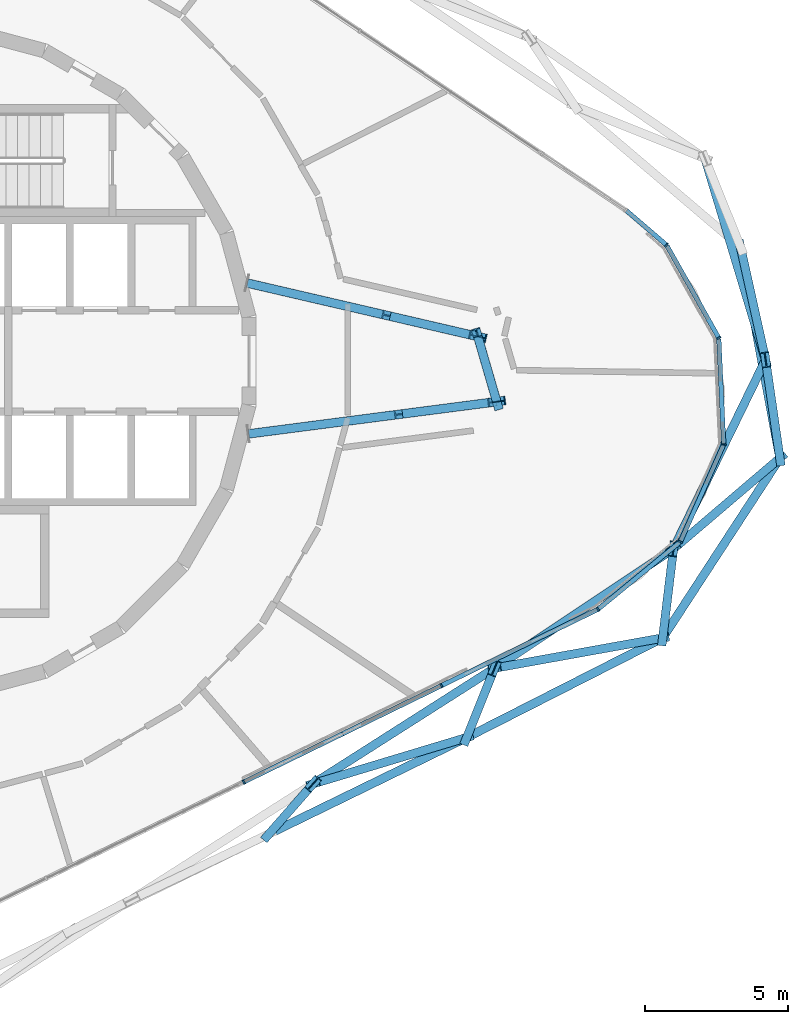
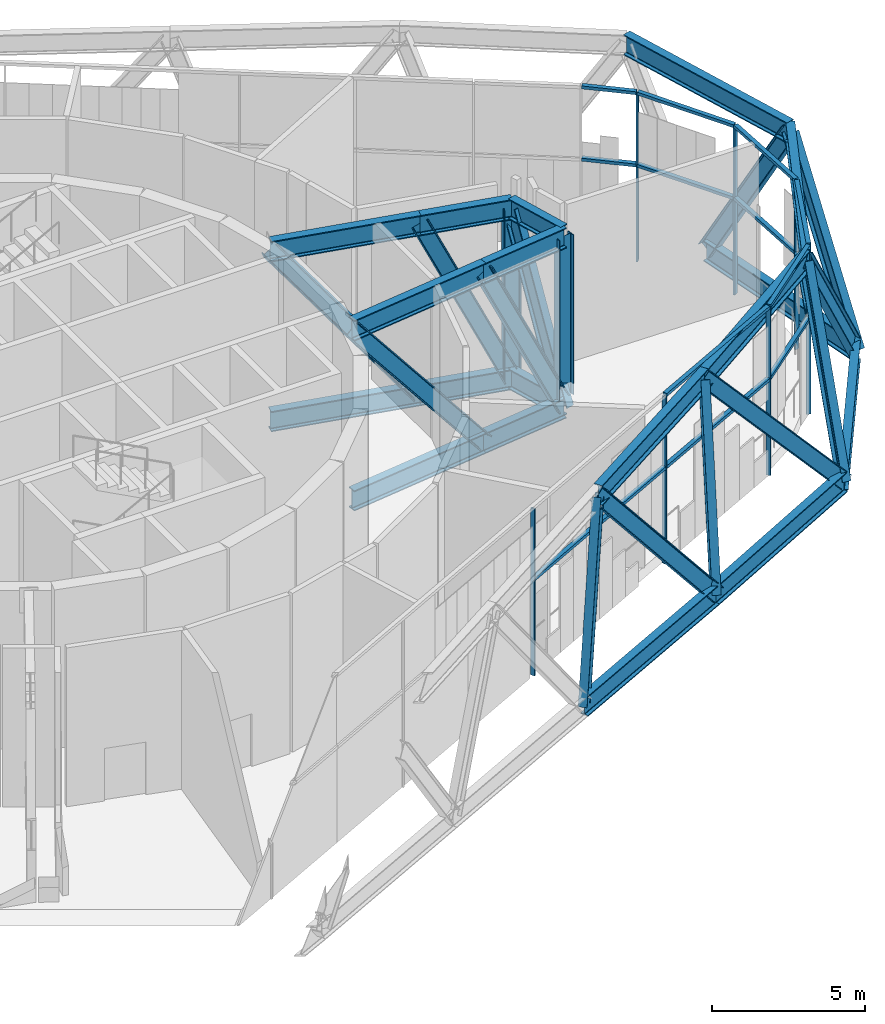
# One storey, part 4 of 24: 54 members, 2 elements without a shape of their own.
"""IFC4 building model written with IfcOpenShell, lengths in metres."""

from ifc_helpers import new_model, si_unit, direction, frame, origin, origin_2d, place, context, subcontext, project, spatial, rectangle, i_section, extrude, material, layer, layer_set, material_profile, profile_set, type_object, element, aggregate, save


model = new_model("IFC4")

# Units and contexts
model_context = context("Model", 3, precision=1e-05, world=origin(), true_north=direction((0.0, 1.0)))
body_context = subcontext(model_context, "Body", "Model", "MODEL_VIEW")
ifc_project = project(units=[si_unit("LENGTHUNIT", "METRE"), si_unit("AREAUNIT", "SQUARE_METRE"), si_unit("VOLUMEUNIT", "CUBIC_METRE"), si_unit("PLANEANGLEUNIT", "RADIAN"), si_unit("MASSUNIT", "GRAM", prefix="KILO")], contexts=[model_context])

# Site, building, storey
site_placement = place(None, origin())
site = spatial("IfcSite", under=ifc_project, at=site_placement, CompositionType="ELEMENT")
building_placement = place(site_placement, origin())
building = spatial("IfcBuilding", under=site, at=building_placement, Name="Spindle Arch Residences", CompositionType="ELEMENT")
storey_placement = place(building_placement, frame((0.0, 0.0, 219.89990234375)))
storey = spatial("IfcBuildingStorey", under=building, at=storey_placement, Name="L56", CompositionType="ELEMENT", Elevation=219.89990234375)

# Members
ifc_material_1 = material(Name="Steel S460ML, intumescent coating R 240", Category="steel")
ifc_material_profile_1 = material_profile(ifc_material_1, i_section(OverallWidth=0.302978515625, OverallDepth=0.81396484375, WebThickness=0.02099609375, FlangeThickness=0.0400390625, FilletRadius=0.030029296875, at=origin_2d()), Name="HEM 800")
ifc_profile_set_1 = profile_set([ifc_material_profile_1], Name="Steel S460ML, intumescent coating R 240")
member_type_1 = type_object("IfcMemberType", Name="Belt truss chord HEM 800", PredefinedType="CHORD", material=ifc_profile_set_1)
member_1_placement = place(storey_placement, frame((12.347900390625, -16.5419921875, -0.85693359375), z_axis=(0.898794365999, 0.438370491307, 0.0), x_axis=(-0.438370491307, 0.898794365999, 0.0)))
element("IfcMember", 1, at=member_1_placement, inside=storey, type_object=member_type_1, Name="Belt truss bottom chord L56.1", PredefinedType="CHORD", context=body_context, shape_type="SweptSolid", body=[
    extrude(i_section(OverallWidth=0.302978515625, OverallDepth=0.81396484375, WebThickness=0.02099609375, FlangeThickness=0.0400390625, FilletRadius=0.030029296875, at=origin_2d()), origin(), (0.0, 0.0, 1.0), 7.69384765625),
])
member_2_placement = place(storey_placement, frame((19.26318359375, -13.169189453125, -0.85693359375), z_axis=(0.891447966314, 0.453123077491, 0.0), x_axis=(-0.453123077491, 0.891447966314, 0.0)))
element("IfcMember", 2, at=member_2_placement, inside=storey, type_object=member_type_1, Name="Belt truss bottom chord L56.2", PredefinedType="CHORD", context=body_context, shape_type="SweptSolid", body=[
    extrude(i_section(OverallWidth=0.302978515625, OverallDepth=0.81396484375, WebThickness=0.02099609375, FlangeThickness=0.0400390625, FilletRadius=0.030029296875, at=origin_2d()), origin(), (0.0, 0.0, 1.0), 7.68798828125),
])
member_3_placement = place(storey_placement, frame((26.11669921875, -9.685546875, -0.85693359375), z_axis=(0.546064447196, 0.837743170374, 0.0), x_axis=(-0.837743170374, 0.546064447196, 0.0)))
element("IfcMember", 3, at=member_3_placement, inside=storey, type_object=member_type_1, Name="Belt truss bottom chord L56.3", PredefinedType="CHORD", context=body_context, shape_type="SweptSolid", body=[
    extrude(i_section(OverallWidth=0.302978515625, OverallDepth=0.81396484375, WebThickness=0.02099609375, FlangeThickness=0.0400390625, FilletRadius=0.030029296875, at=origin_2d()), origin(), (0.0, 0.0, 1.0), 7.5087890625),
])
member_4_placement = place(storey_placement, frame((30.217041015625, -3.39501953125, -0.85693359375), z_axis=(-0.183075266384, 0.983098899826, 0.0), x_axis=(-0.983098899826, -0.183075266384, 0.0)))
element("IfcMember", 4, at=member_4_placement, inside=storey, type_object=member_type_1, Name="Belt truss bottom chord L56.4", PredefinedType="CHORD", context=body_context, shape_type="SweptSolid", body=[
    extrude(i_section(OverallWidth=0.302978515625, OverallDepth=0.81396484375, WebThickness=0.02099609375, FlangeThickness=0.0400390625, FilletRadius=0.030029296875, at=origin_2d()), origin(), (0.0, 0.0, 1.0), 7.50927734375),
])
member_5_placement = place(storey_placement, frame((13.885986328125, -14.78955078125, 5.943115234375), z_axis=(0.843393042763, 0.537297101629, 0.0), x_axis=(-0.537297101629, 0.843393042763, 0.0)))
element("IfcMember", 5, at=member_5_placement, inside=storey, type_object=member_type_1, Name="Belt truss top chord L56.1", PredefinedType="CHORD", context=body_context, shape_type="SweptSolid", body=[
    extrude(i_section(OverallWidth=0.302978515625, OverallDepth=0.81396484375, WebThickness=0.02099609375, FlangeThickness=0.0400390625, FilletRadius=0.030029296875, at=origin_2d()), origin(), (0.0, 0.0, 1.0), 7.530029296875),
])
member_6_placement = place(storey_placement, frame((20.23681640625, -10.74365234375, 5.943115234375), z_axis=(0.831885486304, 0.554947328742, 0.0), x_axis=(-0.554947328742, 0.831885486304, 0.0)))
element("IfcMember", 6, at=member_6_placement, inside=storey, type_object=member_type_1, Name="Belt truss top chord L56.2", PredefinedType="CHORD", context=body_context, shape_type="SweptSolid", body=[
    extrude(i_section(OverallWidth=0.302978515625, OverallDepth=0.81396484375, WebThickness=0.02099609375, FlangeThickness=0.0400390625, FilletRadius=0.030029296875, at=origin_2d()), origin(), (0.0, 0.0, 1.0), 7.5224609375),
])
for number, where, z_axis, x_axis, name in (
    (7, (26.49462890625, -6.569091796875, 5.943115234375), (0.438044379356, 0.898953347908, 0.0), (-0.898953347908, 0.438044379356, 0.0), "Belt truss top chord L56.3"),
    (8, (29.71728515625, 0.04443359375, 5.943115234375), (-0.288014564957, 0.957626028454, 0.0), (-0.957626028454, -0.288014564957, 0.0), "Belt truss top chord L56.4"),
):
    element("IfcMember", number, at=place(storey_placement, frame(where, z_axis=z_axis, x_axis=x_axis)), inside=storey, type_object=member_type_1, Name=name, PredefinedType="CHORD", context=body_context, shape_type="SweptSolid", body=[
        extrude(i_section(OverallWidth=0.302978515625, OverallDepth=0.81396484375, WebThickness=0.02099609375, FlangeThickness=0.0400390625, FilletRadius=0.030029296875, at=origin_2d()), origin(), (0.0, 0.0, 1.0), 7.35693359375),
    ])
ifc_material_2 = material(Name="Steel S460ML, intumescent coating R 240", Category="steel")
ifc_material_profile_2 = material_profile(ifc_material_2, i_section(OverallWidth=0.300048828125, OverallDepth=0.60009765625, WebThickness=0.015380859375, FlangeThickness=0.030029296875, FilletRadius=0.027099609375, at=origin_2d()), Name="HEB 600")
ifc_profile_set_2 = profile_set([ifc_material_profile_2], Name="Steel S460ML, intumescent coating R 240")
member_type_2 = type_object("IfcMemberType", Name="Belt truss diagonal HEB 600", PredefinedType="BRACE", material=ifc_profile_set_2)
member_7_placement = place(storey_placement, frame((12.347900390625, -16.5419921875, -0.85693359375), z_axis=(0.213958811082, 0.243777197769, 0.945935676993), x_axis=(-0.751576955791, 0.659645419543, 0.0)))
element("IfcMember", 9, at=member_7_placement, inside=storey, type_object=member_type_2, Name="Belt truss diagonal L56.1.1", PredefinedType="BRACE", context=body_context, shape_type="SweptSolid", body=[
    extrude(i_section(OverallWidth=0.300048828125, OverallDepth=0.60009765625, WebThickness=0.015380859375, FlangeThickness=0.030029296875, FilletRadius=0.027099609375, at=origin_2d()), origin(), (0.0, 0.0, 1.0), 7.188720703125),
])
member_8_placement = place(storey_placement, frame((19.26318359375, -13.169189453125, -0.85693359375), z_axis=(-0.609706246955, -0.183728506744, 0.771039641155), x_axis=(0.288524206781, -0.957472601228, 0.0)))
element("IfcMember", 10, at=member_8_placement, inside=storey, type_object=member_type_2, Name="Belt truss diagonal L56.1.2", PredefinedType="BRACE", context=body_context, shape_type="SweptSolid", body=[
    extrude(i_section(OverallWidth=0.300048828125, OverallDepth=0.60009765625, WebThickness=0.015380859375, FlangeThickness=0.030029296875, FilletRadius=0.027099609375, at=origin_2d()), origin(), (0.0, 0.0, 1.0), 8.8193359375),
])
member_9_placement = place(storey_placement, frame((19.26318359375, -13.169189453125, -0.85693359375), z_axis=(0.133648185575, 0.332947523492, 0.933426006223), x_axis=(-0.928025063234, 0.372517760662, 0.0)))
element("IfcMember", 11, at=member_9_placement, inside=storey, type_object=member_type_2, Name="Belt truss diagonal L56.2.2", PredefinedType="BRACE", context=body_context, shape_type="SweptSolid", body=[
    extrude(i_section(OverallWidth=0.300048828125, OverallDepth=0.60009765625, WebThickness=0.015380859375, FlangeThickness=0.030029296875, FilletRadius=0.027099609375, at=origin_2d()), origin(), (0.0, 0.0, 1.0), 7.28515625),
])
member_10_placement = place(storey_placement, frame((26.11669921875, -9.685546875, -0.85693359375), z_axis=(-0.649588784831, -0.116895772856, 0.751245491774), x_axis=(0.177108665767, -0.984191302801, 0.0)))
element("IfcMember", 12, at=member_10_placement, inside=storey, type_object=member_type_2, Name="Belt truss diagonal L56.2.3", PredefinedType="BRACE", context=body_context, shape_type="SweptSolid", body=[
    extrude(i_section(OverallWidth=0.300048828125, OverallDepth=0.60009765625, WebThickness=0.015380859375, FlangeThickness=0.030029296875, FilletRadius=0.027099609375, at=origin_2d()), origin(), (0.0, 0.0, 1.0), 9.0517578125),
])
member_11_placement = place(storey_placement, frame((26.11669921875, -9.685546875, -0.85693359375), z_axis=(0.050459841852, 0.416098114498, 0.90791858857), x_axis=(-0.992727024028, 0.120387107967, 0.0)))
element("IfcMember", 13, at=member_11_placement, inside=storey, type_object=member_type_2, Name="Belt truss diagonal L56.3.3", PredefinedType="BRACE", context=body_context, shape_type="SweptSolid", body=[
    extrude(i_section(OverallWidth=0.300048828125, OverallDepth=0.60009765625, WebThickness=0.015380859375, FlangeThickness=0.030029296875, FilletRadius=0.027099609375, at=origin_2d()), origin(), (0.0, 0.0, 1.0), 7.48974609375),
])
member_12_placement = place(storey_placement, frame((30.217041015625, -3.39501953125, -0.85693359375), z_axis=(-0.444368531602, -0.378909639887, 0.811766033364), x_axis=(0.648836989543, -0.76092743478, 0.0)))
element("IfcMember", 14, at=member_12_placement, inside=storey, type_object=member_type_2, Name="Belt truss diagonal L56.3.4", PredefinedType="BRACE", context=body_context, shape_type="SweptSolid", body=[
    extrude(i_section(OverallWidth=0.300048828125, OverallDepth=0.60009765625, WebThickness=0.015380859375, FlangeThickness=0.030029296875, FilletRadius=0.027099609375, at=origin_2d()), origin(), (0.0, 0.0, 1.0), 8.376953125),
])
member_13_placement = place(storey_placement, frame((30.217041015625, -3.39501953125, -0.85693359375), z_axis=(-0.065440736316, 0.450380602453, 0.890435187402), x_axis=(-0.989608076847, -0.143791008895, 0.0)))
element("IfcMember", 15, at=member_13_placement, inside=storey, type_object=member_type_2, Name="Belt truss diagonal L56.4.4", PredefinedType="BRACE", context=body_context, shape_type="SweptSolid", body=[
    extrude(i_section(OverallWidth=0.300048828125, OverallDepth=0.60009765625, WebThickness=0.015380859375, FlangeThickness=0.030029296875, FilletRadius=0.027099609375, at=origin_2d()), origin(), (0.0, 0.0, 1.0), 7.63671875),
])
member_14_placement = place(storey_placement, frame((28.84228515625, 3.9873046875, -0.85693359375), z_axis=(0.110633242853, -0.498528703146, 0.859784518188), x_axis=(0.976249601944, 0.216648828072, 0.0)))
element("IfcMember", 16, at=member_14_placement, inside=storey, type_object=member_type_2, Name="Belt truss diagonal L56.4.5", PredefinedType="BRACE", context=body_context, shape_type="SweptSolid", body=[
    extrude(i_section(OverallWidth=0.300048828125, OverallDepth=0.60009765625, WebThickness=0.015380859375, FlangeThickness=0.030029296875, FilletRadius=0.027099609375, at=origin_2d()), origin(), (0.0, 0.0, 1.0), 7.908935546875),
])

# Curtain wall, members
ifc_material_3 = material(Name="Aluminium bronze unitised frame with tinted glass", Category="aluminium")
ifc_layer = layer(ifc_material_3, 0.159912109375)
ifc_layer_set = layer_set([ifc_layer], Name="CW-E double-height winter garden wall")
curtain_wall_type = type_object("IfcCurtainWallType", Name="CW-E double-height winter garden wall", PredefinedType="NOTDEFINED", material=ifc_layer_set)
curtain_wall_1_placement = place(storey_placement, origin())
curtain_wall_1 = element("IfcCurtainWall", 17, at=curtain_wall_1_placement, inside=storey, type_object=curtain_wall_type, Name="CW-E L56 run 1", PredefinedType="NOTDEFINED")
ifc_material_4 = material(Name="Aluminium bronze anodised mullion", Category="aluminium")
ifc_material_profile_3 = material_profile(ifc_material_4, rectangle(XDim=0.159912109375, YDim=0.06005859375, at=origin_2d()), Name="MU 60x160")
ifc_profile_set_3 = profile_set([ifc_material_profile_3], Name="Aluminium bronze anodised mullion")
member_type_3 = type_object("IfcMemberType", Name="Bronze mullion 60x160", PredefinedType="MULLION", material=ifc_profile_set_3)
member_15_placement = place(storey_placement, frame((18.377685546875, -11.353515625, -0.449951171875), z_axis=(0.0, 0.0, 1.0), x_axis=(-0.438371146789, 0.898794046299, 0.0)))
member_15 = element("IfcMember", 18, at=member_15_placement, type_object=member_type_3, Name="CW-E mullion 00", PredefinedType="MULLION", context=body_context, shape_type="SweptSolid", body=[
    extrude(rectangle(XDim=0.159912109375, YDim=0.06005859375, at=origin_2d()), origin(), (0.0, 0.0, 1.0), 6.679931640625),
])
member_16_placement = place(storey_placement, frame((23.85400390625, -8.6826171875, -0.449951171875), z_axis=(0.0, 0.0, 1.0), x_axis=(-0.633830963722, 0.773471595747, 0.0)))
member_16 = element("IfcMember", 19, at=member_16_placement, type_object=member_type_3, Name="CW-E mullion 01", PredefinedType="MULLION", context=body_context, shape_type="SweptSolid", body=[
    extrude(rectangle(XDim=0.159912109375, YDim=0.06005859375, at=origin_2d()), origin(), (0.0, 0.0, 1.0), 6.679931640625),
])
member_17_placement = place(storey_placement, frame((26.736572265625, -6.320556640625, -0.449951171875), z_axis=(0.0, 0.0, 1.0), x_axis=(-0.913545457934, 0.406736642422, 0.0)))
member_17 = element("IfcMember", 20, at=member_17_placement, type_object=member_type_3, Name="CW-E mullion 02", PredefinedType="MULLION", context=body_context, shape_type="SweptSolid", body=[
    extrude(rectangle(XDim=0.159912109375, YDim=0.06005859375, at=origin_2d()), origin(), (0.0, 0.0, 1.0), 6.679931640625),
])
member_18_placement = place(storey_placement, frame((28.252197265625, -2.916015625, -0.449951171875), z_axis=(0.0, 0.0, 1.0), x_axis=(-0.99891711126, -0.046525313877, 0.0)))
member_18 = element("IfcMember", 21, at=member_18_placement, type_object=member_type_3, Name="CW-E mullion 03", PredefinedType="MULLION", context=body_context, shape_type="SweptSolid", body=[
    extrude(rectangle(XDim=0.159912109375, YDim=0.06005859375, at=origin_2d()), origin(), (0.0, 0.0, 1.0), 6.679931640625),
])
member_19_placement = place(storey_placement, frame((28.078857421875, 0.806884765625, -0.449951171875), z_axis=(0.0, 0.0, 1.0), x_axis=(-0.871784414743, -0.489889716377, 0.0)))
member_19 = element("IfcMember", 22, at=member_19_placement, type_object=member_type_3, Name="CW-E mullion 04", PredefinedType="MULLION", context=body_context, shape_type="SweptSolid", body=[
    extrude(rectangle(XDim=0.159912109375, YDim=0.06005859375, at=origin_2d()), origin(), (0.0, 0.0, 1.0), 6.679931640625),
])
member_20_placement = place(storey_placement, frame((26.253173828125, 4.0556640625, -0.449951171875), z_axis=(0.0, 0.0, 1.0), x_axis=(-0.651657229382, -0.758513582867, 0.0)))
member_20 = element("IfcMember", 23, at=member_20_placement, type_object=member_type_3, Name="CW-E mullion 05", PredefinedType="MULLION", context=body_context, shape_type="SweptSolid", body=[
    extrude(rectangle(XDim=0.159912109375, YDim=0.06005859375, at=origin_2d()), origin(), (0.0, 0.0, 1.0), 6.679931640625),
])

# Curtain wall, member
curtain_wall_2_placement = place(storey_placement, origin())
curtain_wall_2 = element("IfcCurtainWall", 24, at=curtain_wall_2_placement, inside=storey, type_object=curtain_wall_type, Name="CW-E L56 run 6", PredefinedType="NOTDEFINED")
member_21_placement = place(storey_placement, frame((11.46240234375, -14.726318359375, -0.449951171875), z_axis=(0.0, 0.0, 1.0), x_axis=(-0.438371146789, 0.898794046299, 0.0)))
member_21 = element("IfcMember", 25, at=member_21_placement, type_object=member_type_3, Name="CW-E mullion 00", PredefinedType="MULLION", context=body_context, shape_type="SweptSolid", body=[
    extrude(rectangle(XDim=0.159912109375, YDim=0.06005859375, at=origin_2d()), origin(), (0.0, 0.0, 1.0), 6.679931640625),
])

# Member
ifc_material_5 = material(Name="Aluminium bronze anodised transom", Category="aluminium")
ifc_material_profile_4 = material_profile(ifc_material_5, rectangle(XDim=0.159912109375, YDim=0.1201171875, at=origin_2d()), Name="TR 120x160")
ifc_profile_set_4 = profile_set([ifc_material_profile_4], Name="Aluminium bronze anodised transom")
member_type_4 = type_object("IfcMemberType", Name="Bronze transom 120x160", PredefinedType="USERDEFINED", material=ifc_profile_set_4)
member_22_placement = place(storey_placement, frame((18.404541015625, -11.340576171875, 6.2900390625), z_axis=(0.898786724344, 0.438386158704, 0.0), x_axis=(-0.438386158704, 0.898786724344, 0.0)))
member_22 = element("IfcMember", 26, at=member_22_placement, type_object=member_type_4, Name="CW-E transom 00", ObjectType="TRANSOM", PredefinedType="USERDEFINED", context=body_context, shape_type="SweptSolid", body=[
    extrude(rectangle(XDim=0.159912109375, YDim=0.1201171875, at=origin_2d()), origin(), (0.0, 0.0, 1.0), 6.032958984375),
])

member_23_placement = place(storey_placement, frame((18.404541015625, -11.340576171875, 3.400146484375), z_axis=(0.898786724344, 0.438386158704, 0.0), x_axis=(-0.438386158704, 0.898786724344, 0.0)))
member_23 = element("IfcMember", 27, at=member_23_placement, type_object=member_type_4, Name="CW-E transom 00m", ObjectType="TRANSOM", PredefinedType="USERDEFINED", context=body_context, shape_type="SweptSolid", body=[
    extrude(rectangle(XDim=0.159912109375, YDim=0.1201171875, at=origin_2d()), origin(), (0.0, 0.0, 1.0), 6.032958984375),
])

member_24_placement = place(storey_placement, frame((23.877197265625, -8.66357421875, 6.2900390625), z_axis=(0.773494307947, 0.633803246737, 0.0), x_axis=(-0.633803246737, 0.773494307947, 0.0)))
member_24 = element("IfcMember", 28, at=member_24_placement, type_object=member_type_4, Name="CW-E transom 01", ObjectType="TRANSOM", PredefinedType="USERDEFINED", context=body_context, shape_type="SweptSolid", body=[
    extrude(rectangle(XDim=0.159912109375, YDim=0.1201171875, at=origin_2d()), origin(), (0.0, 0.0, 1.0), 3.666748046875),
])

member_25_placement = place(storey_placement, frame((23.877197265625, -8.66357421875, 3.400146484375), z_axis=(0.773494307947, 0.633803246737, 0.0), x_axis=(-0.633803246737, 0.773494307947, 0.0)))
member_25 = element("IfcMember", 29, at=member_25_placement, type_object=member_type_4, Name="CW-E transom 01m", ObjectType="TRANSOM", PredefinedType="USERDEFINED", context=body_context, shape_type="SweptSolid", body=[
    extrude(rectangle(XDim=0.159912109375, YDim=0.1201171875, at=origin_2d()), origin(), (0.0, 0.0, 1.0), 3.666748046875),
])

member_26_placement = place(storey_placement, frame((26.748779296875, -6.29296875, 6.2900390625), z_axis=(0.406706770356, 0.913558757249, 0.0), x_axis=(-0.913558757249, 0.406706770356, 0.0)))
member_26 = element("IfcMember", 30, at=member_26_placement, type_object=member_type_4, Name="CW-E transom 02", ObjectType="TRANSOM", PredefinedType="USERDEFINED", context=body_context, shape_type="SweptSolid", body=[
    extrude(rectangle(XDim=0.159912109375, YDim=0.1201171875, at=origin_2d()), origin(), (0.0, 0.0, 1.0), 3.66650390625),
])

member_27_placement = place(storey_placement, frame((26.748779296875, -6.29296875, 3.400146484375), z_axis=(0.406706770356, 0.913558757249, 0.0), x_axis=(-0.913558757249, 0.406706770356, 0.0)))
member_27 = element("IfcMember", 31, at=member_27_placement, type_object=member_type_4, Name="CW-E transom 02m", ObjectType="TRANSOM", PredefinedType="USERDEFINED", context=body_context, shape_type="SweptSolid", body=[
    extrude(rectangle(XDim=0.159912109375, YDim=0.1201171875, at=origin_2d()), origin(), (0.0, 0.0, 1.0), 3.66650390625),
])

member_28_placement = place(storey_placement, frame((28.2509765625, -2.885986328125, 6.2900390625), z_axis=(-0.046540197037, 0.998916417955, 0.0), x_axis=(-0.998916417955, -0.046540197037, 0.0)))
member_28 = element("IfcMember", 32, at=member_28_placement, type_object=member_type_4, Name="CW-E transom 03", ObjectType="TRANSOM", PredefinedType="USERDEFINED", context=body_context, shape_type="SweptSolid", body=[
    extrude(rectangle(XDim=0.159912109375, YDim=0.1201171875, at=origin_2d()), origin(), (0.0, 0.0, 1.0), 3.666748046875),
])

member_29_placement = place(storey_placement, frame((28.2509765625, -2.885986328125, 3.400146484375), z_axis=(-0.046540197037, 0.998916417955, 0.0), x_axis=(-0.998916417955, -0.046540197037, 0.0)))
member_29 = element("IfcMember", 33, at=member_29_placement, type_object=member_type_4, Name="CW-E transom 03m", ObjectType="TRANSOM", PredefinedType="USERDEFINED", context=body_context, shape_type="SweptSolid", body=[
    extrude(rectangle(XDim=0.159912109375, YDim=0.1201171875, at=origin_2d()), origin(), (0.0, 0.0, 1.0), 3.666748046875),
])

member_30_placement = place(storey_placement, frame((28.064208984375, 0.8330078125, 6.2900390625), z_axis=(-0.489916630118, 0.871769290314, 0.0), x_axis=(-0.871769290314, -0.489916630118, 0.0)))
member_30 = element("IfcMember", 34, at=member_30_placement, type_object=member_type_4, Name="CW-E transom 04", ObjectType="TRANSOM", PredefinedType="USERDEFINED", context=body_context, shape_type="SweptSolid", body=[
    extrude(rectangle(XDim=0.159912109375, YDim=0.1201171875, at=origin_2d()), origin(), (0.0, 0.0, 1.0), 3.666748046875),
])

member_31_placement = place(storey_placement, frame((28.064208984375, 0.8330078125, 3.400146484375), z_axis=(-0.489916630118, 0.871769290314, 0.0), x_axis=(-0.871769290314, -0.489916630118, 0.0)))
member_31 = element("IfcMember", 35, at=member_31_placement, type_object=member_type_4, Name="CW-E transom 04m", ObjectType="TRANSOM", PredefinedType="USERDEFINED", context=body_context, shape_type="SweptSolid", body=[
    extrude(rectangle(XDim=0.159912109375, YDim=0.1201171875, at=origin_2d()), origin(), (0.0, 0.0, 1.0), 3.666748046875),
])

member_32_placement = place(storey_placement, frame((26.23046875, 4.0751953125, 6.2900390625), z_axis=(-0.758458936913, 0.651720830584, 0.0), x_axis=(-0.651720830584, -0.758458936913, 0.0)))
member_32 = element("IfcMember", 36, at=member_32_placement, type_object=member_type_4, Name="CW-E transom 05", ObjectType="TRANSOM", PredefinedType="USERDEFINED", context=body_context, shape_type="SweptSolid", body=[
    extrude(rectangle(XDim=0.159912109375, YDim=0.1201171875, at=origin_2d()), origin(), (0.0, 0.0, 1.0), 1.816162109375),
])

member_33_placement = place(storey_placement, frame((26.23046875, 4.0751953125, 3.400146484375), z_axis=(-0.758458936913, 0.651720830584, 0.0), x_axis=(-0.651720830584, -0.758458936913, 0.0)))
member_33 = element("IfcMember", 37, at=member_33_placement, type_object=member_type_4, Name="CW-E transom 05m", ObjectType="TRANSOM", PredefinedType="USERDEFINED", context=body_context, shape_type="SweptSolid", body=[
    extrude(rectangle(XDim=0.159912109375, YDim=0.1201171875, at=origin_2d()), origin(), (0.0, 0.0, 1.0), 1.816162109375),
])

aggregate(curtain_wall_1, [member_15, member_22, member_23, member_16, member_24, member_25, member_17, member_26, member_27, member_18, member_28, member_29, member_19, member_30, member_31, member_20, member_32, member_33])

member_34_placement = place(storey_placement, frame((11.489501953125, -14.713134765625, 3.400146484375), z_axis=(0.89880962888, 0.438339196322, 0.0), x_axis=(-0.438339196322, 0.89880962888, 0.0)))
member_34 = element("IfcMember", 38, at=member_34_placement, type_object=member_type_4, Name="CW-E transom 00Am", ObjectType="TRANSOM", PredefinedType="USERDEFINED", context=body_context, shape_type="SweptSolid", body=[
    extrude(rectangle(XDim=0.159912109375, YDim=0.1201171875, at=origin_2d()), origin(), (0.0, 0.0, 1.0), 3.81689453125),
])

member_35_placement = place(storey_placement, frame((14.920166015625, -13.0400390625, 3.400146484375), z_axis=(0.898772134127, 0.438416070551, 0.0), x_axis=(-0.438416070551, 0.898772134127, 0.0)))
member_35 = element("IfcMember", 39, at=member_35_placement, type_object=member_type_4, Name="CW-E transom 00Bm", ObjectType="TRANSOM", PredefinedType="USERDEFINED", context=body_context, shape_type="SweptSolid", body=[
    extrude(rectangle(XDim=0.159912109375, YDim=0.1201171875, at=origin_2d()), origin(), (0.0, 0.0, 1.0), 3.81689453125),
])

aggregate(curtain_wall_2, [member_21, member_34, member_35])

# Members
ifc_material_6 = material(Name="Steel S460ML, intumescent coating R 240", Category="steel")
ifc_material_profile_5 = material_profile(ifc_material_6, i_section(OverallWidth=0.302978515625, OverallDepth=0.81396484375, WebThickness=0.02099609375, FlangeThickness=0.0400390625, FilletRadius=0.030029296875, at=origin_2d()), Name="HEM 800")
ifc_profile_set_5 = profile_set([ifc_material_profile_5], Name="Steel S460ML, intumescent coating R 240")
member_type_5 = type_object("IfcMemberType", Name="Transfer truss chord HEM 800", PredefinedType="CHORD", material=ifc_profile_set_5)
for number, where, z_axis, x_axis, name in (
    (40, (11.634521484375, -2.54736328125, -0.85693359375), (0.991671028489, 0.128796627498, 0.0), (-0.128796627498, 0.991671028489, 0.0), "Transfer truss chord L56"),
    (41, (11.634521484375, -2.54736328125, 5.943115234375), (0.991671028489, 0.128796627498, 0.0), (-0.128796627498, 0.991671028489, 0.0), "Transfer truss chord L56"),
):
    element("IfcMember", number, at=place(storey_placement, frame(where, z_axis=z_axis, x_axis=x_axis)), inside=storey, type_object=member_type_5, Name=name, PredefinedType="CHORD", context=body_context, shape_type="SweptSolid", body=[
        extrude(i_section(OverallWidth=0.302978515625, OverallDepth=0.81396484375, WebThickness=0.02099609375, FlangeThickness=0.0400390625, FilletRadius=0.030029296875, at=origin_2d()), origin(), (0.0, 0.0, 1.0), 5.425048828125),
    ])
for number, where, z_axis, x_axis, name in (
    (42, (17.014404296875, -1.8486328125, -0.85693359375), (0.991673534783, 0.128777328793, 0.0), (-0.128777328793, 0.991673534783, 0.0), "Transfer truss chord L56"),
    (43, (17.014404296875, -1.8486328125, 5.943115234375), (0.991673534783, 0.128777328793, 0.0), (-0.128777328793, 0.991673534783, 0.0), "Transfer truss chord L56"),
):
    element("IfcMember", number, at=place(storey_placement, frame(where, z_axis=z_axis, x_axis=x_axis)), inside=storey, type_object=member_type_5, Name=name, PredefinedType="CHORD", context=body_context, shape_type="SweptSolid", body=[
        extrude(i_section(OverallWidth=0.302978515625, OverallDepth=0.81396484375, WebThickness=0.02099609375, FlangeThickness=0.0400390625, FilletRadius=0.030029296875, at=origin_2d()), origin(), (0.0, 0.0, 1.0), 3.3251953125),
    ])
for number, where, z_axis, x_axis, name in (
    (44, (20.31201171875, -1.42041015625, -0.85693359375), (-0.279067338455, 0.960271534831, 0.0), (-0.960271534831, -0.279067338455, 0.0), "Transfer truss chord L56"),
    (45, (20.31201171875, -1.42041015625, 5.943115234375), (-0.279067338455, 0.960271534831, 0.0), (-0.960271534831, -0.279067338455, 0.0), "Transfer truss chord L56"),
):
    element("IfcMember", number, at=place(storey_placement, frame(where, z_axis=z_axis, x_axis=x_axis)), inside=storey, type_object=member_type_5, Name=name, PredefinedType="CHORD", context=body_context, shape_type="SweptSolid", body=[
        extrude(i_section(OverallWidth=0.302978515625, OverallDepth=0.81396484375, WebThickness=0.02099609375, FlangeThickness=0.0400390625, FilletRadius=0.030029296875, at=origin_2d()), origin(), (0.0, 0.0, 1.0), 2.37255859375),
    ])
for number, where, z_axis, x_axis, name in (
    (46, (11.5859375, 2.728515625, -0.85693359375), (0.974129185029, -0.225991882322, 0.0), (0.225991882322, 0.974129185029, 0.0), "Transfer truss chord L56"),
    (47, (11.5859375, 2.728515625, 5.943115234375), (0.974129185029, -0.225991882322, 0.0), (0.225991882322, 0.974129185029, 0.0), "Transfer truss chord L56"),
):
    element("IfcMember", number, at=place(storey_placement, frame(where, z_axis=z_axis, x_axis=x_axis)), inside=storey, type_object=member_type_5, Name=name, PredefinedType="CHORD", context=body_context, shape_type="SweptSolid", body=[
        extrude(i_section(OverallWidth=0.302978515625, OverallDepth=0.81396484375, WebThickness=0.02099609375, FlangeThickness=0.0400390625, FilletRadius=0.030029296875, at=origin_2d()), origin(), (0.0, 0.0, 1.0), 5.132568359375),
    ])
for number, where, z_axis, x_axis, name in (
    (48, (16.585693359375, 1.568603515625, -0.85693359375), (0.974142059028, -0.225936382267, 0.0), (0.225936382267, 0.974142059028, 0.0), "Transfer truss chord L56"),
    (49, (16.585693359375, 1.568603515625, 5.943115234375), (0.974142059028, -0.225936382267, 0.0), (0.225936382267, 0.974142059028, 0.0), "Transfer truss chord L56"),
):
    element("IfcMember", number, at=place(storey_placement, frame(where, z_axis=z_axis, x_axis=x_axis)), inside=storey, type_object=member_type_5, Name=name, PredefinedType="CHORD", context=body_context, shape_type="SweptSolid", body=[
        extrude(i_section(OverallWidth=0.302978515625, OverallDepth=0.81396484375, WebThickness=0.02099609375, FlangeThickness=0.0400390625, FilletRadius=0.030029296875, at=origin_2d()), origin(), (0.0, 0.0, 1.0), 3.1455078125),
    ])
ifc_material_7 = material(Name="Steel S460ML, intumescent coating R 240", Category="steel")
ifc_material_profile_6 = material_profile(ifc_material_7, i_section(OverallWidth=0.304931640625, OverallDepth=0.6201171875, WebThickness=0.02099609375, FlangeThickness=0.0400390625, FilletRadius=0.027099609375, at=origin_2d()), Name="HEM 600")
ifc_profile_set_6 = profile_set([ifc_material_profile_6], Name="Steel S460ML, intumescent coating R 240")
member_type_6 = type_object("IfcMemberType", Name="Transfer truss diagonal HEM 600", PredefinedType="BRACE", material=ifc_profile_set_6)
member_36_placement = place(storey_placement, frame((17.014404296875, -1.8486328125, -0.85693359375), z_axis=(-0.618450764698, -0.080323383943, 0.78170762158), x_axis=(0.128796627498, -0.991671028489, 0.0)))
element("IfcMember", 50, at=member_36_placement, inside=storey, type_object=member_type_6, Name="Transfer truss diagonal L56", PredefinedType="BRACE", context=body_context, shape_type="SweptSolid", body=[
    extrude(i_section(OverallWidth=0.304931640625, OverallDepth=0.6201171875, WebThickness=0.02099609375, FlangeThickness=0.0400390625, FilletRadius=0.027099609375, at=origin_2d()), origin(), (0.0, 0.0, 1.0), 8.698974609375),
])
member_37_placement = place(storey_placement, frame((20.31201171875, -1.42041015625, -0.85693359375), z_axis=(-0.435640512172, -0.05657166346, 0.898341244209), x_axis=(0.128777328793, -0.991673534783, 0.0)))
element("IfcMember", 51, at=member_37_placement, inside=storey, type_object=member_type_6, Name="Transfer truss diagonal L56", PredefinedType="BRACE", context=body_context, shape_type="SweptSolid", body=[
    extrude(i_section(OverallWidth=0.304931640625, OverallDepth=0.6201171875, WebThickness=0.02099609375, FlangeThickness=0.0400390625, FilletRadius=0.027099609375, at=origin_2d()), origin(), (0.0, 0.0, 1.0), 7.569580078125),
])
member_38_placement = place(storey_placement, frame((20.31201171875, -1.42041015625, -0.85693359375), z_axis=(-0.091933218754, 0.316342476923, 0.944179919604), x_axis=(-0.960271534831, -0.279067338455, 0.0)))
element("IfcMember", 52, at=member_38_placement, inside=storey, type_object=member_type_6, Name="Transfer truss diagonal L56", PredefinedType="BRACE", context=body_context, shape_type="SweptSolid", body=[
    extrude(i_section(OverallWidth=0.304931640625, OverallDepth=0.6201171875, WebThickness=0.02099609375, FlangeThickness=0.0400390625, FilletRadius=0.027099609375, at=origin_2d()), origin(), (0.0, 0.0, 1.0), 7.2021484375),
])
member_39_placement = place(storey_placement, frame((16.585693359375, 1.568603515625, -0.85693359375), z_axis=(-0.586853216776, 0.13614627828, 0.798165078708), x_axis=(-0.225991882322, -0.974129185029, 0.0)))
element("IfcMember", 53, at=member_39_placement, inside=storey, type_object=member_type_6, Name="Transfer truss diagonal L56", PredefinedType="BRACE", context=body_context, shape_type="SweptSolid", body=[
    extrude(i_section(OverallWidth=0.304931640625, OverallDepth=0.6201171875, WebThickness=0.02099609375, FlangeThickness=0.0400390625, FilletRadius=0.027099609375, at=origin_2d()), origin(), (0.0, 0.0, 1.0), 8.51953125),
])
member_40_placement = place(storey_placement, frame((19.64990234375, 0.85791015625, -0.85693359375), z_axis=(-0.408979021403, 0.094856021935, 0.907600404999), x_axis=(-0.225936382267, -0.974142059028, 0.0)))
element("IfcMember", 54, at=member_40_placement, inside=storey, type_object=member_type_6, Name="Transfer truss diagonal L56", PredefinedType="BRACE", context=body_context, shape_type="SweptSolid", body=[
    extrude(i_section(OverallWidth=0.304931640625, OverallDepth=0.6201171875, WebThickness=0.02099609375, FlangeThickness=0.0400390625, FilletRadius=0.027099609375, at=origin_2d()), origin(), (0.0, 0.0, 1.0), 7.492431640625),
])
ifc_material_8 = material(Name="Steel S460ML, intumescent coating R 240", Category="steel")
ifc_material_profile_7 = material_profile(ifc_material_8, i_section(OverallWidth=0.300048828125, OverallDepth=0.60009765625, WebThickness=0.015380859375, FlangeThickness=0.030029296875, FilletRadius=0.027099609375, at=origin_2d()), Name="HEB 600")
ifc_profile_set_7 = profile_set([ifc_material_profile_7], Name="Steel S460ML, intumescent coating R 240")
member_type_7 = type_object("IfcMemberType", Name="Transfer truss post HEB 600", PredefinedType="POST", material=ifc_profile_set_7)
member_41_placement = place(storey_placement, frame((20.31201171875, -1.42041015625, -0.449951171875), z_axis=(0.0, 0.0, 1.0), x_axis=(0.128796961065, -0.991670985166, 0.0)))
element("IfcMember", 55, at=member_41_placement, inside=storey, type_object=member_type_7, Name="Transfer truss post L56", PredefinedType="POST", context=body_context, shape_type="SweptSolid", body=[
    extrude(i_section(OverallWidth=0.300048828125, OverallDepth=0.60009765625, WebThickness=0.015380859375, FlangeThickness=0.030029296875, FilletRadius=0.027099609375, at=origin_2d()), origin(), (0.0, 0.0, 1.0), 6.39306640625),
])
member_42_placement = place(storey_placement, frame((19.64990234375, 0.85791015625, -0.85693359375), z_axis=(0.0, 0.0, 1.0), x_axis=(-0.225960469571, -0.974136472057, 0.0)))
element("IfcMember", 56, at=member_42_placement, inside=storey, type_object=member_type_7, Name="Transfer truss post L56", PredefinedType="POST", context=body_context, shape_type="SweptSolid", body=[
    extrude(i_section(OverallWidth=0.300048828125, OverallDepth=0.60009765625, WebThickness=0.015380859375, FlangeThickness=0.030029296875, FilletRadius=0.027099609375, at=origin_2d()), origin(), (0.0, 0.0, 1.0), 6.800048828125),
])

save(model, "model.ifc")
